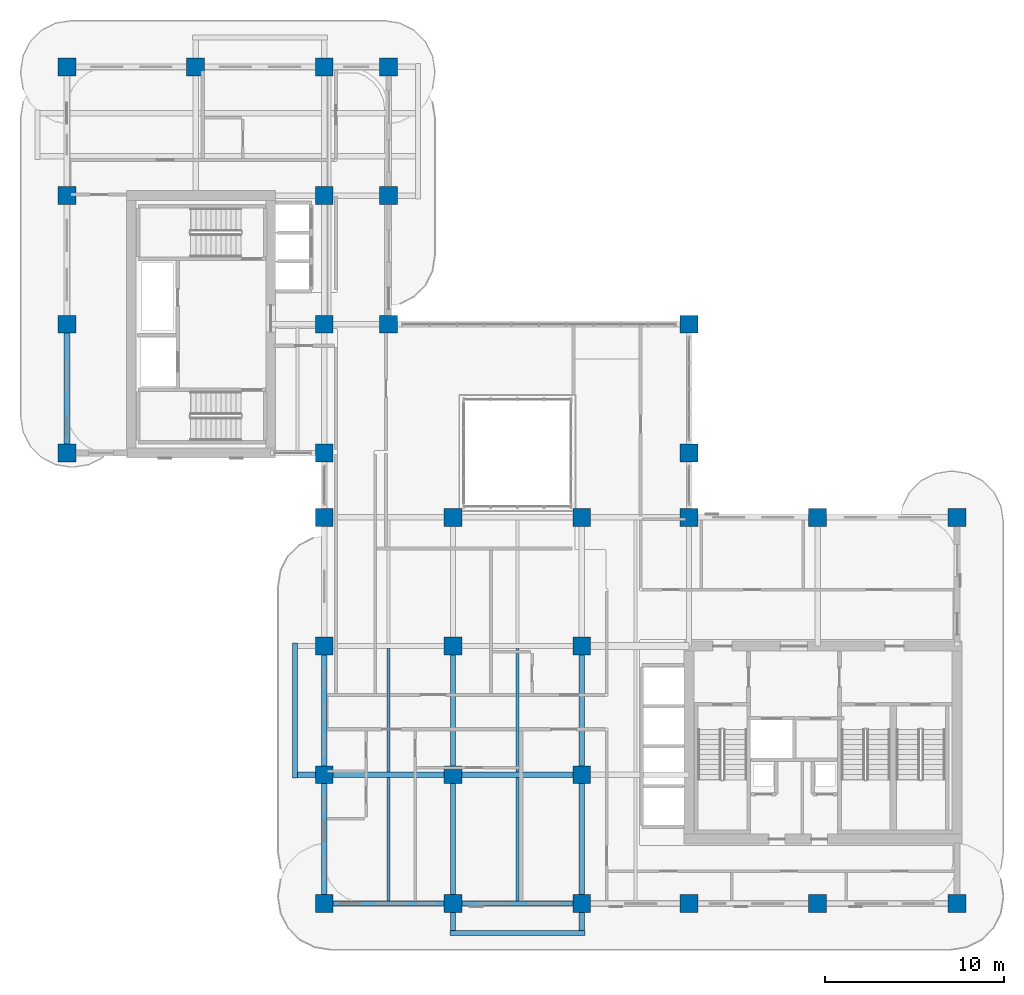
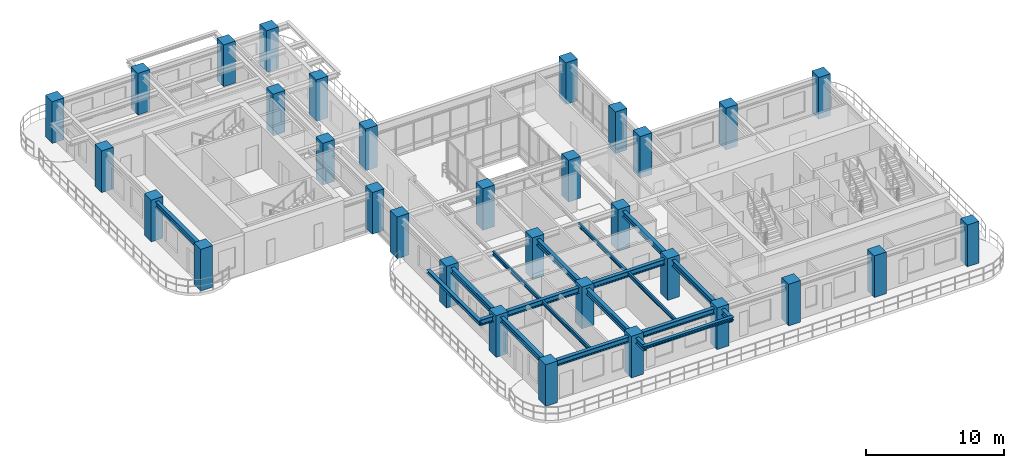
# One storey, part 1 of 20: 32 columns, 17 beams.
"""IFC4 building model written with IfcOpenShell, lengths in metres."""

from ifc_helpers import new_model, si_unit, derived_unit, direction, frame, origin, origin_2d, place, context, subcontext, project, spatial, rectangle, i_section, extrude, source, transform, mapped, material, material_profile, profile_set, type_object, type_shapes, element, save


model = new_model("IFC4")

# Units and contexts
model_context = context("Model", 3, precision=1e-05, world=origin(), true_north=direction((0.0, 1.0)))
body_context = subcontext(model_context, "Body", "Model", "MODEL_VIEW")
ifc_project = project(units=[si_unit("LENGTHUNIT", "METRE"), si_unit("AREAUNIT", "SQUARE_METRE"), si_unit("VOLUMEUNIT", "CUBIC_METRE"), si_unit("PLANEANGLEUNIT", "RADIAN"), si_unit("MASSUNIT", "GRAM", prefix="KILO"), si_unit("THERMODYNAMICTEMPERATUREUNIT", "KELVIN"), si_unit("POWERUNIT", "WATT"), derived_unit("THERMALTRANSMITTANCEUNIT", [(si_unit("POWERUNIT", "WATT"), 1), (si_unit("AREAUNIT", "SQUARE_METRE"), -1), (si_unit("THERMODYNAMICTEMPERATUREUNIT", "KELVIN"), -1)])], contexts=[model_context])

# Site, building, storey
site_placement = place(None, origin())
site = spatial("IfcSite", under=ifc_project, at=site_placement, CompositionType="ELEMENT")
building_placement = place(site_placement, origin())
building = spatial("IfcBuilding", under=site, at=building_placement, Name="Zahravan Archway Hotel and Residences", CompositionType="ELEMENT")
storey_placement = place(building_placement, frame((0.0, 0.0, 115.5)))
storey = spatial("IfcBuildingStorey", under=building, at=storey_placement, Name="L28", CompositionType="ELEMENT", Elevation=115.5)

# Columns
ifc_material_1 = material(Name="Concrete C60/75", Category="concrete")
ifc_material_profile_1 = material_profile(ifc_material_1, rectangle(XDim=1.0, YDim=1.0, at=origin_2d()), Name="RC-COL-1000x1000", Category="concrete")
ifc_profile_set_1 = profile_set([ifc_material_profile_1], Name="Concrete C60/75")
column_type = type_object("IfcColumnType", Name="COL-RC-1000", PredefinedType="COLUMN", material=ifc_profile_set_1)
shared_shape_1 = source(origin(), body_context, "Body", "SweptSolid", [
    extrude(rectangle(XDim=1.0, YDim=1.0, at=origin_2d()), origin(), (0.0, 0.0, 1.0), 3.699951171875),
])
type_shapes(column_type, [shared_shape_1])
for number, where, z_axis, x_axis, name in (
    (1, (0.0, 25.199951171875, 0.0), (0.0, 0.0, 1.0), (1.0, 0.0, 0.0), "L28 Column 1-E"),
    (2, (0.0, 32.39990234375, 0.0), (0.0, 0.0, 1.0), (1.0, 0.0, 0.0), "L28 Column 1-F"),
    (3, (0.0, 39.60009765625, 0.0), (0.0, 0.0, 1.0), (1.0, 0.0, 0.0), "L28 Column 1-G"),
    (4, (0.0, 46.800048828125, 0.0), (0.0, 0.0, 1.0), (1.0, 0.0, 0.0), "L28 Column 1-H"),
    (5, (7.199951171875, 46.800048828125, 0.0), (0.0, 0.0, 1.0), (1.0, 0.0, 0.0), "L28 Column 2-H"),
    (6, (14.39990234375, 0.0, 0.0), (0.0, 0.0, 1.0), (1.0, 0.0, 0.0), "L28 Column 3-A"),
    (7, (14.39990234375, 7.199951171875, 0.0), (0.0, 0.0, 1.0), (1.0, 0.0, 0.0), "L28 Column 3-B"),
    (8, (14.39990234375, 14.39990234375, 0.0), (0.0, 0.0, 1.0), (1.0, 0.0, 0.0), "L28 Column 3-C"),
    (9, (14.39990234375, 21.60009765625, 0.0), (0.0, 0.0, 1.0), (1.0, 0.0, 0.0), "L28 Column 3-D"),
    (10, (14.39990234375, 25.199951171875, 0.0), (0.0, 0.0, 1.0), (1.0, 0.0, 0.0), "L28 Column 3-E"),
    (11, (14.39990234375, 32.39990234375, 0.0), (0.0, 0.0, 1.0), (1.0, 0.0, 0.0), "L28 Column 3-F"),
    (12, (14.39990234375, 39.60009765625, 0.0), (0.0, 0.0, 1.0), (1.0, 0.0, 0.0), "L28 Column 3-G"),
    (13, (14.39990234375, 46.800048828125, 0.0), (0.0, 0.0, 1.0), (1.0, 0.0, 0.0), "L28 Column 3-H"),
    (14, (21.60009765625, 0.0, 0.0), (0.0, 0.0, 1.0), (1.0, 0.0, 0.0), "L28 Column 4-A"),
    (15, (21.60009765625, 7.199951171875, 0.0), (0.0, 0.0, 1.0), (1.0, 0.0, 0.0), "L28 Column 4-B"),
    (16, (21.60009765625, 14.39990234375, 0.0), (0.0, 0.0, 1.0), (1.0, 0.0, 0.0), "L28 Column 4-C"),
    (17, (21.60009765625, 21.60009765625, 0.0), (0.0, 0.0, 1.0), (1.0, 0.0, 0.0), "L28 Column 4-D"),
    (18, (28.800048828125, 0.0, 0.0), (0.0, 0.0, 1.0), (1.0, 0.0, 0.0), "L28 Column 5-A"),
    (19, (28.800048828125, 7.199951171875, 0.0), (0.0, 0.0, 1.0), (1.0, 0.0, 0.0), "L28 Column 5-B"),
    (20, (28.800048828125, 14.39990234375, 0.0), (0.0, 0.0, 1.0), (1.0, 0.0, 0.0), "L28 Column 5-C"),
    (21, (28.800048828125, 21.60009765625, 0.0), (0.0, 0.0, 1.0), (1.0, 0.0, 0.0), "L28 Column 5-D"),
    (22, (34.800048828125, 0.0, 0.0), (0.0, 0.0, 1.0), (1.0, 0.0, 0.0), "L28 Column 6-A"),
    (23, (34.800048828125, 21.60009765625, 0.0), (0.0, 0.0, 1.0), (1.0, 0.0, 0.0), "L28 Column 6-D"),
    (24, (34.800048828125, 25.199951171875, 0.0), (0.0, 0.0, 1.0), (1.0, 0.0, 0.0), "L28 Column 6-E"),
    (25, (34.800048828125, 32.39990234375, 0.0), (0.0, 0.0, 1.0), (1.0, 0.0, 0.0), "L28 Column 6-F"),
    (26, (42.0, 0.0, 0.0), (0.0, 0.0, 1.0), (1.0, 0.0, 0.0), "L28 Column 7-A"),
    (27, (42.0, 21.60009765625, 0.0), (0.0, 0.0, 1.0), (1.0, 0.0, 0.0), "L28 Column 7-D"),
    (28, (49.800048828125, 0.0, 0.0), (0.0, 0.0, 1.0), (1.0, 0.0, 0.0), "L28 Column 8-A"),
    (29, (49.800048828125, 21.60009765625, 0.0), (0.0, 0.0, 1.0), (1.0, 0.0, 0.0), "L28 Column 8-D"),
    (30, (18.0, 32.39990234375, 0.0), (0.0, 0.0, 1.0), (1.0, 0.0, 0.0), "L28 Column 3B-F"),
    (31, (18.0, 39.60009765625, 0.0), (0.0, 0.0, 1.0), (1.0, 0.0, 0.0), "L28 Column 3B-G"),
    (32, (18.0, 46.800048828125, 0.0), (0.0, 0.0, 1.0), (1.0, 0.0, 0.0), "L28 Column 3B-H"),
):
    element("IfcColumn", number, at=place(storey_placement, frame(where, z_axis=z_axis, x_axis=x_axis)), inside=storey, type_object=column_type, Name=name, PredefinedType="COLUMN", context=body_context, shape_type="MappedRepresentation", body=[
        mapped(shared_shape_1, transform((0.0, 0.0, 0.0), scale=1.0)),
    ])

# Beams
ifc_material_2 = material(Name="Structural Steel S355JR", Category="steel")
ifc_material_profile_2 = material_profile(ifc_material_2, i_section(OverallWidth=0.280029296875, OverallDepth=0.280029296875, WebThickness=0.010498046875, FlangeThickness=0.01806640625, FilletRadius=0.02392578125, at=origin_2d()), Name="HEB 280", Category="steel")
ifc_profile_set_2 = profile_set([ifc_material_profile_2], Name="Structural Steel S355JR")
beam_type_1 = type_object("IfcBeamType", Name="BM-SPN-HEB280", PredefinedType="SPANDREL", material=ifc_profile_set_2)
shared_shape_2 = source(origin(), body_context, "Body", "SweptSolid", [
    extrude(i_section(OverallWidth=0.280029296875, OverallDepth=0.280029296875, WebThickness=0.010498046875, FlangeThickness=0.01806640625, FilletRadius=0.02392578125, at=origin_2d()), origin(), (0.0, 0.0, 1.0), 7.56005859375),
])
type_shapes(beam_type_1, [shared_shape_2])
for number, where, z_axis, x_axis, name in (
    (33, (12.75, 7.02001953125, 3.31005859375), (0.0, 1.0, 0.0), (-1.0, 0.0, 0.0), "L29 WA Balcony Edge Spandrel"),
    (34, (21.419921875, -1.64990234375, 3.31005859375), (1.0, 0.0, 0.0), (0.0, 1.0, 0.0), "L29 SA Balcony Edge Spandrel"),
):
    element("IfcBeam", number, at=place(storey_placement, frame(where, z_axis=z_axis, x_axis=x_axis)), inside=storey, type_object=beam_type_1, Name=name, PredefinedType="SPANDREL", context=body_context, shape_type="MappedRepresentation", body=[
        mapped(shared_shape_2, transform((0.0, 0.0, 0.0), scale=1.0)),
    ])
ifc_material_profile_3 = material_profile(ifc_material_2, i_section(OverallWidth=0.300048828125, OverallDepth=0.5, WebThickness=0.014404296875, FlangeThickness=0.028076171875, FilletRadius=0.027099609375, at=origin_2d()), Name="HEB 500", Category="steel")
ifc_profile_set_3 = profile_set([ifc_material_profile_3], Name="Structural Steel S355JR")
beam_type_2 = type_object("IfcBeamType", Name="BM-PRI-HEB500", PredefinedType="BEAM", material=ifc_profile_set_3)
shared_shape_3 = source(origin(), body_context, "Body", "SweptSolid", [
    extrude(i_section(OverallWidth=0.300048828125, OverallDepth=0.5, WebThickness=0.014404296875, FlangeThickness=0.028076171875, FilletRadius=0.027099609375, at=origin_2d()), origin(), (0.0, 0.0, 1.0), 7.2001953125),
])
type_shapes(beam_type_2, [shared_shape_3])
beam_1_placement = place(storey_placement, frame((14.39990234375, 0.0, 3.199951171875), z_axis=(1.0, 0.0, 0.0), x_axis=(0.0, 1.0, 0.0)))
element("IfcBeam", 35, at=beam_1_placement, inside=storey, type_object=beam_type_2, Name="L28 Primary Girder EW-01", PredefinedType="BEAM", context=body_context, shape_type="MappedRepresentation", body=[
    mapped(shared_shape_3, transform((0.0, 0.0, 0.0), scale=1.0)),
])
shared_shape_4 = source(origin(), body_context, "Body", "SweptSolid", [
    extrude(i_section(OverallWidth=0.300048828125, OverallDepth=0.5, WebThickness=0.014404296875, FlangeThickness=0.028076171875, FilletRadius=0.027099609375, at=origin_2d()), origin(), (0.0, 0.0, 1.0), 7.199951171875),
])
for number, where, z_axis, x_axis, name in (
    (36, (21.60009765625, 0.0, 3.199951171875), (1.0, 0.0, 0.0), (0.0, 1.0, 0.0), "L28 Primary Girder EW-02"),
    (37, (21.60009765625, 7.199951171875, 3.199951171875), (1.0, 0.0, 0.0), (0.0, 1.0, 0.0), "L28 Primary Girder EW-07"),
    (38, (0.0, 25.199951171875, 3.199951171875), (0.0, 1.0, 0.0), (-1.0, 0.0, 0.0), "L28 Primary Girder NS-24"),
    (39, (14.39990234375, 0.0, 3.199951171875), (0.0, 1.0, 0.0), (-1.0, 0.0, 0.0), "L28 Primary Girder NS-28"),
    (40, (14.39990234375, 7.199951171875, 3.199951171875), (0.0, 1.0, 0.0), (-1.0, 0.0, 0.0), "L28 Primary Girder NS-29"),
    (41, (21.60009765625, 7.199951171875, 3.199951171875), (0.0, 1.0, 0.0), (-1.0, 0.0, 0.0), "L28 Primary Girder NS-36"),
    (42, (28.800048828125, 7.199951171875, 3.199951171875), (0.0, 1.0, 0.0), (-1.0, 0.0, 0.0), "L28 Primary Girder NS-39"),
):
    element("IfcBeam", number, at=place(storey_placement, frame(where, z_axis=z_axis, x_axis=x_axis)), inside=storey, type_object=beam_type_2, Name=name, PredefinedType="BEAM", context=body_context, shape_type="MappedRepresentation", body=[
        mapped(shared_shape_4, transform((0.0, 0.0, 0.0), scale=1.0)),
    ])
ifc_material_profile_4 = material_profile(ifc_material_2, i_section(OverallWidth=0.159912109375, OverallDepth=0.330078125, WebThickness=0.007568359375, FlangeThickness=0.011474609375, FilletRadius=0.01806640625, at=origin_2d()), Name="IPE 330", Category="steel")
ifc_profile_set_4 = profile_set([ifc_material_profile_4], Name="Structural Steel S355JR")
beam_type_3 = type_object("IfcBeamType", Name="BM-JST-IPE330", PredefinedType="JOIST", material=ifc_profile_set_4)
shared_shape_5 = source(origin(), body_context, "Body", "SweptSolid", [
    extrude(i_section(OverallWidth=0.159912109375, OverallDepth=0.330078125, WebThickness=0.007568359375, FlangeThickness=0.011474609375, FilletRadius=0.01806640625, at=origin_2d()), origin(), (0.0, 0.0, 1.0), 6.904052734375),
])
type_shapes(beam_type_3, [shared_shape_5])
for number, where, z_axis, x_axis, name in (
    (43, (18.0, 0.14794921875, 3.284912109375), (0.0, 1.0, 0.0), (-1.0, 0.0, 0.0), "L28 Composite Floor Joist 01"),
    (44, (25.199951171875, 0.14794921875, 3.284912109375), (0.0, 1.0, 0.0), (-1.0, 0.0, 0.0), "L28 Composite Floor Joist 02"),
    (45, (18.0, 7.347900390625, 3.284912109375), (0.0, 1.0, 0.0), (-1.0, 0.0, 0.0), "L28 Composite Floor Joist 04"),
    (46, (25.199951171875, 7.347900390625, 3.284912109375), (0.0, 1.0, 0.0), (-1.0, 0.0, 0.0), "L28 Composite Floor Joist 05"),
):
    element("IfcBeam", number, at=place(storey_placement, frame(where, z_axis=z_axis, x_axis=x_axis)), inside=storey, type_object=beam_type_3, Name=name, PredefinedType="JOIST", context=body_context, shape_type="MappedRepresentation", body=[
        mapped(shared_shape_5, transform((0.0, 0.0, 0.0), scale=1.0)),
    ])
shared_shape_6 = source(origin(), body_context, "Body", "SweptSolid", [
    extrude(i_section(OverallWidth=0.300048828125, OverallDepth=0.5, WebThickness=0.014404296875, FlangeThickness=0.028076171875, FilletRadius=0.027099609375, at=origin_2d()), origin(), (0.0, 0.0, 1.0), 8.85009765625),
])
beam_2_placement = place(storey_placement, frame((12.75, 7.199951171875, 3.199951171875), z_axis=(1.0, 0.0, 0.0), x_axis=(0.0, 1.0, 0.0)))
element("IfcBeam", 47, at=beam_2_placement, inside=storey, type_object=beam_type_2, Name="L28 Primary Girder EW-06", PredefinedType="BEAM", context=body_context, shape_type="MappedRepresentation", body=[
    mapped(shared_shape_6, transform((0.0, 0.0, 0.0), scale=1.0)),
])
shared_shape_7 = source(origin(), body_context, "Body", "SweptSolid", [
    extrude(i_section(OverallWidth=0.300048828125, OverallDepth=0.5, WebThickness=0.014404296875, FlangeThickness=0.028076171875, FilletRadius=0.027099609375, at=origin_2d()), origin(), (0.0, 0.0, 1.0), 8.849853515625),
])
for number, where, z_axis, x_axis, name in (
    (48, (21.60009765625, -1.64990234375, 3.199951171875), (0.0, 1.0, 0.0), (-1.0, 0.0, 0.0), "L28 Primary Girder NS-35"),
    (49, (28.800048828125, -1.64990234375, 3.199951171875), (0.0, 1.0, 0.0), (-1.0, 0.0, 0.0), "L28 Primary Girder NS-38"),
):
    element("IfcBeam", number, at=place(storey_placement, frame(where, z_axis=z_axis, x_axis=x_axis)), inside=storey, type_object=beam_type_2, Name=name, PredefinedType="BEAM", context=body_context, shape_type="MappedRepresentation", body=[
        mapped(shared_shape_7, transform((0.0, 0.0, 0.0), scale=1.0)),
    ])

save(model, "model.ifc")
